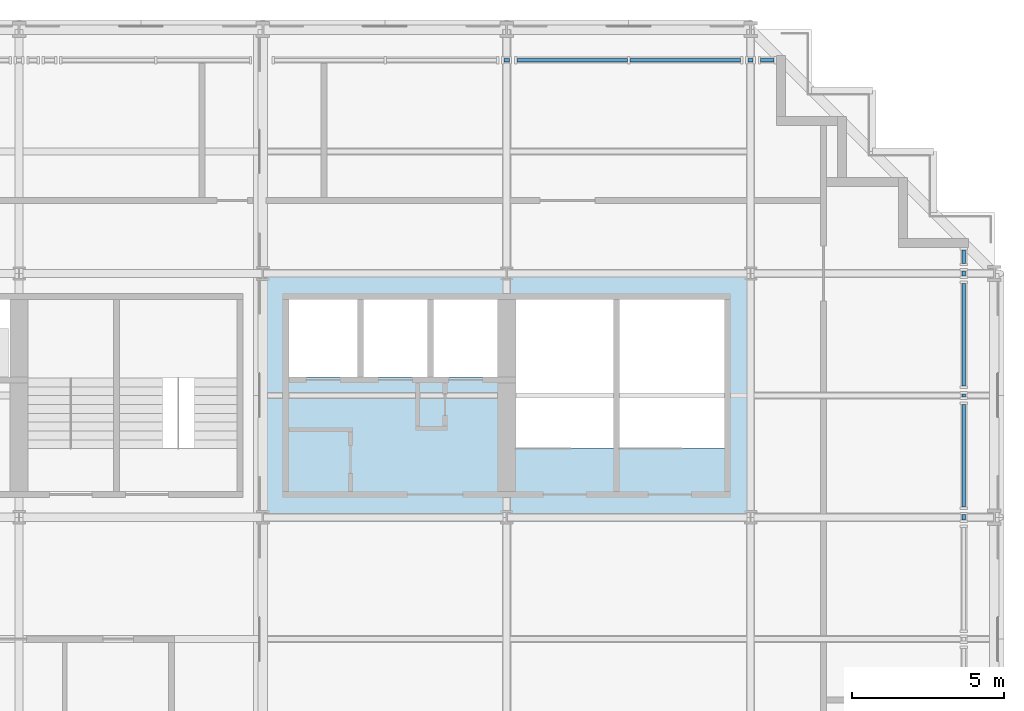
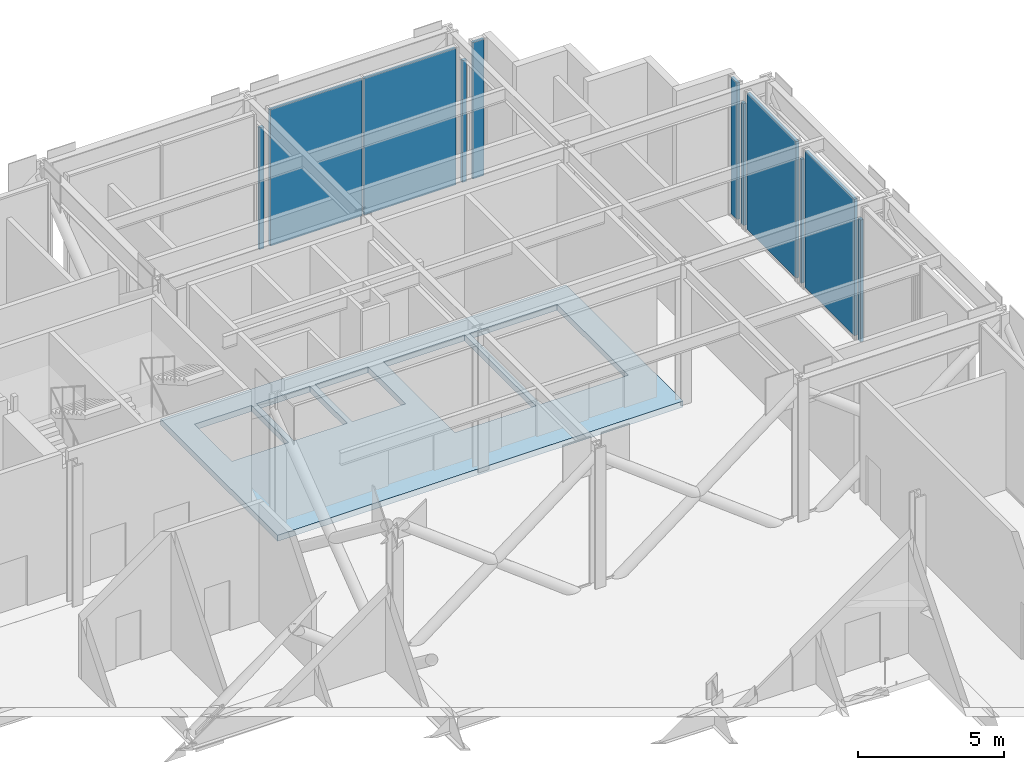
# One storey, part 16 of 25: 11 plates, 1 slab, 10 elements without a shape of their own.
"""IFC4 building model written with IfcOpenShell, lengths in metres."""

from ifc_helpers import new_model, si_unit, direction, frame, origin, origin_2d, place, context, subcontext, project, spatial, polyline, rectangle, outline, extrude, material, layer, layer_set, type_object, element, aggregate, save


model = new_model("IFC4")

# Units and contexts
model_context = context("Model", 3, precision=1e-05, world=origin(), true_north=direction((0.0, 1.0)))
body_context = subcontext(model_context, "Body", "Model", "MODEL_VIEW")
ifc_project = project(units=[si_unit("LENGTHUNIT", "METRE"), si_unit("AREAUNIT", "SQUARE_METRE"), si_unit("VOLUMEUNIT", "CUBIC_METRE"), si_unit("PLANEANGLEUNIT", "RADIAN"), si_unit("MASSUNIT", "GRAM", prefix="KILO")], contexts=[model_context])

# Site, building, storey
site_placement = place(None, origin())
site = spatial("IfcSite", under=ifc_project, at=site_placement, CompositionType="ELEMENT")
building_placement = place(site_placement, origin())
building = spatial("IfcBuilding", under=site, at=building_placement, Name="Immortelle Media Tower", CompositionType="ELEMENT")
storey_placement = place(building_placement, frame((0.0, 0.0, 114.0)))
storey = spatial("IfcBuildingStorey", under=building, at=storey_placement, Name="L22", CompositionType="ELEMENT", Elevation=114.0)

# Slab
ifc_material_1 = material(Name="Concrete C50/60", Category="concrete")
ifc_layer_1 = layer(ifc_material_1, 0.25)
ifc_layer_set_1 = layer_set([ifc_layer_1], Name="Concrete C50/60")
slab_type = type_object("IfcSlabType", Name="Core floor slab 250", PredefinedType="FLOOR", material=ifc_layer_set_1)
slab_placement = place(storey_placement, frame((0.0, 0.0, -0.25)))
element("IfcSlab", 1, at=slab_placement, inside=storey, type_object=slab_type, Name="Core floor NE", PredefinedType="FLOOR", context=body_context, shape_type="SweptSolid", body=[
    extrude(outline(polyline([(24.0, 32.0), (40.0, 32.0), (40.0, 40.0), (24.0, 40.0), (24.0, 32.0)]), holes=[polyline([(24.85009765625, 36.60009765625), (27.10009765625, 36.60009765625), (27.10009765625, 39.14990234375), (24.85009765625, 39.14990234375), (24.85009765625, 36.60009765625)]), polyline([(27.300048828125, 36.60009765625), (29.39990234375, 36.60009765625), (29.39990234375, 39.14990234375), (27.300048828125, 39.14990234375), (27.300048828125, 36.60009765625)]), polyline([(29.60009765625, 36.60009765625), (31.699951171875, 36.60009765625), (31.699951171875, 39.14990234375), (29.60009765625, 39.14990234375), (29.60009765625, 36.60009765625)]), polyline([(32.300048828125, 34.27001953125), (35.5, 34.27001953125), (35.5, 39.14990234375), (32.300048828125, 39.14990234375), (32.300048828125, 34.27001953125)]), polyline([(35.699951171875, 34.27001953125), (39.14990234375, 34.27001953125), (39.14990234375, 39.14990234375), (35.699951171875, 39.14990234375), (35.699951171875, 34.27001953125)])]), origin(), (0.0, 0.0, 1.0), 0.25),
])

# Curtain wall, plate
ifc_material_2 = material(Name="Aluminium curtain wall system", Category="aluminium")
curtain_wall_type = type_object("IfcCurtainWallType", Name="Plant louvre wall curtain wall", PredefinedType="NOTDEFINED", material=ifc_material_2)
curtain_wall_1_placement = place(storey_placement, origin())
curtain_wall_1 = element("IfcCurtainWall", 2, at=curtain_wall_1_placement, inside=storey, type_object=curtain_wall_type, Name="Plant louvre wall L22 E 14-14", PredefinedType="NOTDEFINED")
ifc_material_3 = material(Name="Pale aluminium louvre panel", Category="aluminium")
ifc_layer_2 = layer(ifc_material_3, 0.1201171875)
ifc_layer_set_2 = layer_set([ifc_layer_2], Name="Pale aluminium louvre panel")
plate_type = type_object("IfcPlateType", Name="Dust and storm rated louvre panel 120 mm", PredefinedType="CURTAIN_PANEL", material=ifc_layer_set_2)
plate_1_placement = place(storey_placement, frame((47.0, 32.0, 0.080078125), z_axis=(0.0, 0.0, 1.0), x_axis=(0.0, 1.0, 0.0)))
plate_1 = element("IfcPlate", 3, at=plate_1_placement, type_object=plate_type, Name="CW6 panel 1.1", PredefinedType="CURTAIN_PANEL", context=body_context, shape_type="SweptSolid", body=[
    extrude(rectangle(XDim=0.1689453125, YDim=0.1201171875, at=origin_2d()), origin(), (0.0, 0.0, 1.0), 5.077392578125),
])
aggregate(curtain_wall_1, [plate_1])

curtain_wall_2_placement = place(storey_placement, origin())
curtain_wall_2 = element("IfcCurtainWall", 4, at=curtain_wall_2_placement, inside=storey, type_object=curtain_wall_type, Name="Plant louvre wall L22 E 14-15", PredefinedType="NOTDEFINED")
plate_2_placement = place(storey_placement, frame((47.0, 34.01611328125, 0.080078125), z_axis=(0.0, 0.0, 1.0), x_axis=(0.0, 1.0, 0.0)))
plate_2 = element("IfcPlate", 5, at=plate_2_placement, type_object=plate_type, Name="CW6 panel 1.1", PredefinedType="CURTAIN_PANEL", context=body_context, shape_type="SweptSolid", body=[
    extrude(rectangle(XDim=3.363037109375, YDim=0.1201171875, at=origin_2d()), origin(), (0.0, 0.0, 1.0), 5.689453125),
])
aggregate(curtain_wall_2, [plate_2])

curtain_wall_3_placement = place(storey_placement, origin())
curtain_wall_3 = element("IfcCurtainWall", 6, at=curtain_wall_3_placement, inside=storey, type_object=curtain_wall_type, Name="Plant louvre wall L22 E 14-16", PredefinedType="NOTDEFINED")
plate_3_placement = place(storey_placement, frame((47.0, 36.0, 0.080078125), z_axis=(0.0, 0.0, 1.0), x_axis=(0.0, 1.0, 0.0)))
plate_3 = element("IfcPlate", 7, at=plate_3_placement, type_object=plate_type, Name="CW6 panel 1.1", PredefinedType="CURTAIN_PANEL", context=body_context, shape_type="SweptSolid", body=[
    extrude(rectangle(XDim=0.10498046875, YDim=0.1201171875, at=origin_2d()), origin(), (0.0, 0.0, 1.0), 5.16357421875),
])
aggregate(curtain_wall_3, [plate_3])

curtain_wall_4_placement = place(storey_placement, origin())
curtain_wall_4 = element("IfcCurtainWall", 8, at=curtain_wall_4_placement, inside=storey, type_object=curtain_wall_type, Name="Plant louvre wall L22 E 14-17", PredefinedType="NOTDEFINED")
plate_4_placement = place(storey_placement, frame((47.0, 37.98388671875, 0.080078125), z_axis=(0.0, 0.0, 1.0), x_axis=(0.0, 1.0, 0.0)))
plate_4 = element("IfcPlate", 9, at=plate_4_placement, type_object=plate_type, Name="CW6 panel 1.1", PredefinedType="CURTAIN_PANEL", context=body_context, shape_type="SweptSolid", body=[
    extrude(rectangle(XDim=3.363037109375, YDim=0.1201171875, at=origin_2d()), origin(), (0.0, 0.0, 1.0), 5.689453125),
])
aggregate(curtain_wall_4, [plate_4])

curtain_wall_5_placement = place(storey_placement, origin())
curtain_wall_5 = element("IfcCurtainWall", 10, at=curtain_wall_5_placement, inside=storey, type_object=curtain_wall_type, Name="Plant louvre wall L22 E 14-18", PredefinedType="NOTDEFINED")
plate_5_placement = place(storey_placement, frame((47.0, 40.0, 0.080078125), z_axis=(0.0, 0.0, 1.0), x_axis=(0.0, 1.0, 0.0)))
plate_5 = element("IfcPlate", 11, at=plate_5_placement, type_object=plate_type, Name="CW6 panel 1.1", PredefinedType="CURTAIN_PANEL", context=body_context, shape_type="SweptSolid", body=[
    extrude(rectangle(XDim=0.1689453125, YDim=0.1201171875, at=origin_2d()), origin(), (0.0, 0.0, 1.0), 5.077392578125),
])
aggregate(curtain_wall_5, [plate_5])

curtain_wall_6_placement = place(storey_placement, origin())
curtain_wall_6 = element("IfcCurtainWall", 12, at=curtain_wall_6_placement, inside=storey, type_object=curtain_wall_type, Name="Plant louvre wall L22 E 14-19", PredefinedType="NOTDEFINED")
plate_6_placement = place(storey_placement, frame((47.0, 40.55224609375, 0.080078125), z_axis=(0.0, 0.0, 1.0), x_axis=(0.0, 1.0, 0.0)))
plate_6 = element("IfcPlate", 13, at=plate_6_placement, type_object=plate_type, Name="CW6 panel 1.1", PredefinedType="CURTAIN_PANEL", context=body_context, shape_type="SweptSolid", body=[
    extrude(rectangle(XDim=0.435546875, YDim=0.1201171875, at=origin_2d()), origin(), (0.0, 0.0, 1.0), 5.689453125),
])
aggregate(curtain_wall_6, [plate_6])

curtain_wall_7_placement = place(storey_placement, origin())
curtain_wall_7 = element("IfcCurtainWall", 14, at=curtain_wall_7_placement, inside=storey, type_object=curtain_wall_type, Name="Plant louvre wall L22 N 21-1", PredefinedType="NOTDEFINED")
plate_7_placement = place(storey_placement, frame((40.55224609375, 47.0, 0.080078125), z_axis=(0.0, 0.0, 1.0), x_axis=(-1.0, 0.0, 0.0)))
plate_7 = element("IfcPlate", 15, at=plate_7_placement, type_object=plate_type, Name="CW6 panel 1.1", PredefinedType="CURTAIN_PANEL", context=body_context, shape_type="SweptSolid", body=[
    extrude(rectangle(XDim=0.435546875, YDim=0.1201171875, at=origin_2d()), origin(), (0.0, 0.0, 1.0), 5.689453125),
])
aggregate(curtain_wall_7, [plate_7])

curtain_wall_8_placement = place(storey_placement, origin())
curtain_wall_8 = element("IfcCurtainWall", 16, at=curtain_wall_8_placement, inside=storey, type_object=curtain_wall_type, Name="Plant louvre wall L22 N 21-2", PredefinedType="NOTDEFINED")
plate_8_placement = place(storey_placement, frame((40.0, 47.0, 0.080078125), z_axis=(0.0, 0.0, 1.0), x_axis=(-1.0, 0.0, 0.0)))
plate_8 = element("IfcPlate", 17, at=plate_8_placement, type_object=plate_type, Name="CW6 panel 1.1", PredefinedType="CURTAIN_PANEL", context=body_context, shape_type="SweptSolid", body=[
    extrude(rectangle(XDim=0.1689453125, YDim=0.1201171875, at=origin_2d()), origin(), (0.0, 0.0, 1.0), 5.077392578125),
])
aggregate(curtain_wall_8, [plate_8])

# Curtain wall, plates
curtain_wall_9_placement = place(storey_placement, origin())
curtain_wall_9 = element("IfcCurtainWall", 18, at=curtain_wall_9_placement, inside=storey, type_object=curtain_wall_type, Name="Plant louvre wall L22 N 21-3", PredefinedType="NOTDEFINED")
plate_9_placement = place(storey_placement, frame((37.852783203125, 47.0, 0.080078125), z_axis=(0.0, 0.0, 1.0), x_axis=(-1.0, 0.0, 0.0)))
plate_9 = element("IfcPlate", 19, at=plate_9_placement, type_object=plate_type, Name="CW6 panel 1.1", PredefinedType="CURTAIN_PANEL", context=body_context, shape_type="SweptSolid", body=[
    extrude(rectangle(XDim=3.62548828125, YDim=0.1201171875, at=origin_2d()), origin(), (0.0, 0.0, 1.0), 5.689453125),
])
plate_10_placement = place(storey_placement, frame((34.147216796875, 47.0, 0.080078125), z_axis=(0.0, 0.0, 1.0), x_axis=(-1.0, 0.0, 0.0)))
plate_10 = element("IfcPlate", 20, at=plate_10_placement, type_object=plate_type, Name="CW6 panel 2.1", PredefinedType="CURTAIN_PANEL", context=body_context, shape_type="SweptSolid", body=[
    extrude(rectangle(XDim=3.62548828125, YDim=0.1201171875, at=origin_2d()), origin(), (0.0, 0.0, 1.0), 5.689453125),
])
aggregate(curtain_wall_9, [plate_9, plate_10])

# Curtain wall, plate
curtain_wall_10_placement = place(storey_placement, origin())
curtain_wall_10 = element("IfcCurtainWall", 21, at=curtain_wall_10_placement, inside=storey, type_object=curtain_wall_type, Name="Plant louvre wall L22 N 21-4", PredefinedType="NOTDEFINED")
plate_11_placement = place(storey_placement, frame((32.0, 47.0, 0.080078125), z_axis=(0.0, 0.0, 1.0), x_axis=(-1.0, 0.0, 0.0)))
plate_11 = element("IfcPlate", 22, at=plate_11_placement, type_object=plate_type, Name="CW6 panel 1.1", PredefinedType="CURTAIN_PANEL", context=body_context, shape_type="SweptSolid", body=[
    extrude(rectangle(XDim=0.1689453125, YDim=0.1201171875, at=origin_2d()), origin(), (0.0, 0.0, 1.0), 5.077392578125),
])
aggregate(curtain_wall_10, [plate_11])

save(model, "model.ifc")
